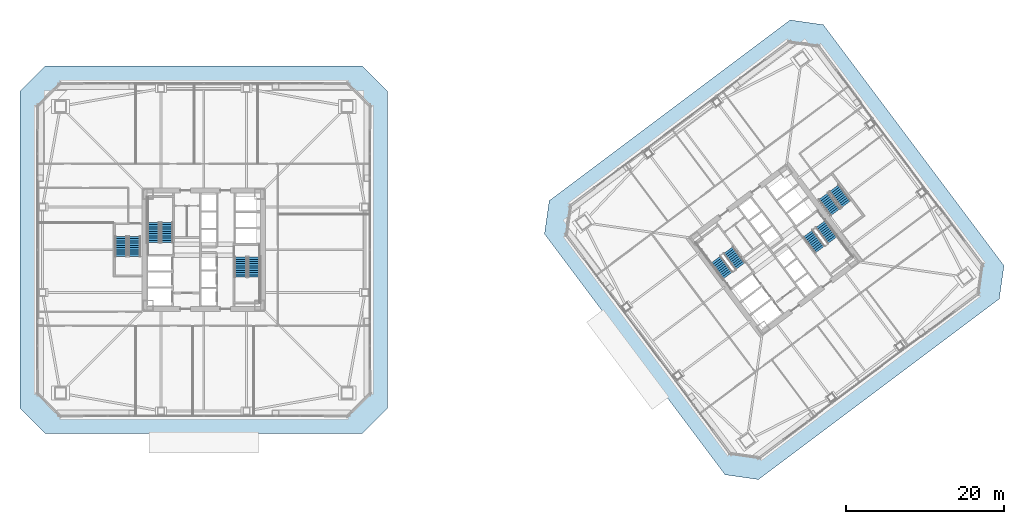
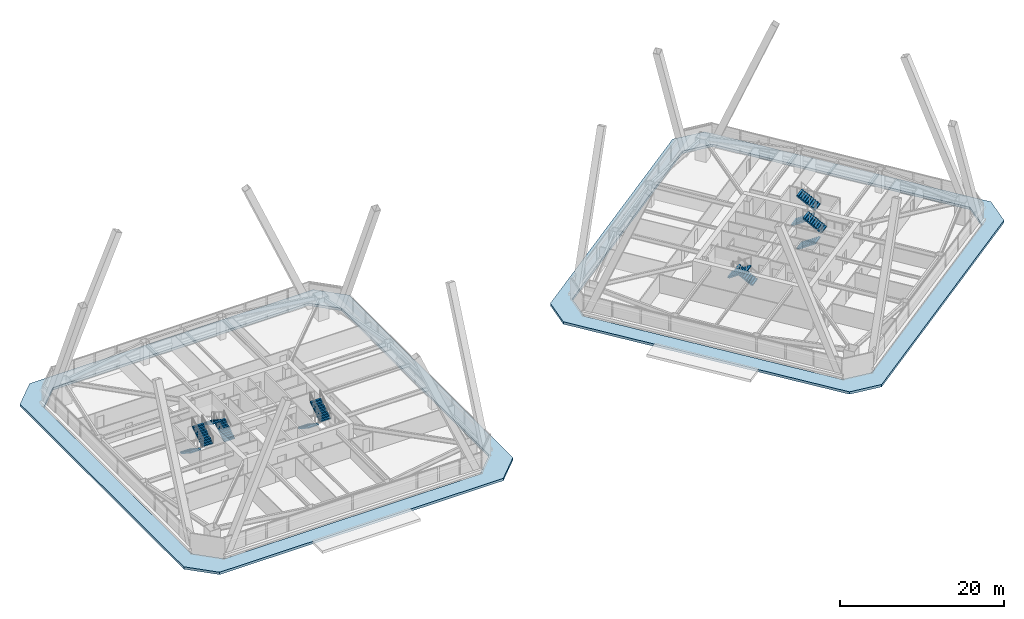
# One storey, part 60 of 67: 12 stair flights, 2 roofs, 6 elements without a shape of their own.
"""IFC4 building model written with IfcOpenShell, lengths in metres."""

from ifc_helpers import new_model, si_unit, direction, frame, origin, place, context, subcontext, project, spatial, polyline, outline, extrude, material, layer, layer_set, type_object, element, aggregate, save


model = new_model("IFC4")

# Units and contexts
model_context = context("Model", 3, precision=1e-05, world=origin(), true_north=direction((0.0, 1.0)))
body_context = subcontext(model_context, "Body", "Model", "MODEL_VIEW")
ifc_project = project(units=[si_unit("LENGTHUNIT", "METRE"), si_unit("AREAUNIT", "SQUARE_METRE"), si_unit("VOLUMEUNIT", "CUBIC_METRE"), si_unit("PLANEANGLEUNIT", "RADIAN"), si_unit("MASSUNIT", "GRAM", prefix="KILO")], contexts=[model_context])

# Site, building, storey
site_placement = place(None, origin())
site = spatial("IfcSite", under=ifc_project, at=site_placement, CompositionType="ELEMENT")
building_placement = place(site_placement, origin())
building = spatial("IfcBuilding", under=site, at=building_placement, Name="Tashvorn Skyway Center", CompositionType="ELEMENT")
storey_placement = place(building_placement, frame((0.0, 0.0, 67.199951171875)))
storey = spatial("IfcBuildingStorey", under=building, at=storey_placement, Name="L17", CompositionType="ELEMENT", Elevation=67.199951171875)

# Stair, stair flights
ifc_material_1 = material(Name="Concrete C40/50", Category="concrete")
stair_type = type_object("IfcStairType", Name="STAIR-CORE-1500", PredefinedType="HALF_TURN_STAIR", material=ifc_material_1)
stair_1_placement = place(storey_placement, origin())
stair_1 = element("IfcStair", 1, at=stair_1_placement, inside=storey, type_object=stair_type, Name="L17 Tower 1 Exit Stair 1", PredefinedType="HALF_TURN_STAIR")
stair_flight_type = type_object("IfcStairFlightType", Name="SFLIGHT-1500", PredefinedType="STRAIGHT", material=ifc_material_1)
stair_flight_1_placement = place(storey_placement, frame((37.35009765625, 32.919921875, 0.0), z_axis=(0.0, 0.0, 1.0), x_axis=(0.0, 1.0, 0.0)))
stair_flight_1 = element("IfcStairFlight", 2, at=stair_flight_1_placement, type_object=stair_flight_type, Name="ST-T1-1 flight 1", NumberOfRisers=10, NumberOfTreads=9, PredefinedType="STRAIGHT", RiserHeight=0.1775, TreadLength=0.28, context=body_context, shape_type="SweptSolid", body=[
    extrude(outline(polyline([(0.0, 0.0), (0.0, 0.177490234375), (0.280029296875, 0.177490234375), (0.280029296875, 0.35498046875), (0.56005859375, 0.35498046875), (0.56005859375, 0.532470703125), (0.840087890625, 0.532470703125), (0.840087890625, 0.7099609375), (1.1201171875, 0.7099609375), (1.1201171875, 0.887451171875), (1.39990234375, 0.887451171875), (1.39990234375, 1.06494140625), (1.679931640625, 1.06494140625), (1.679931640625, 1.242431640625), (1.9599609375, 1.242431640625), (1.9599609375, 1.419921875), (2.239990234375, 1.419921875), (2.239990234375, 1.597412109375), (2.52001953125, 1.597412109375), (2.52001953125, 1.77490234375), (2.52001953125, 1.419921875), (0.280029296875, 0.0), (0.0, 0.0)])), frame((0.0, 0.75, 0.0), z_axis=(0.0, -1.0, 0.0), x_axis=(1.0, 0.0, 0.0)), (0.0, 0.0, 1.0), 1.5),
])
stair_flight_2_placement = place(storey_placement, frame((35.64990234375, 35.43994140625, 1.775146484375), z_axis=(0.0, 0.0, 1.0), x_axis=(0.0, -1.0, 0.0)))
stair_flight_2 = element("IfcStairFlight", 3, at=stair_flight_2_placement, type_object=stair_flight_type, Name="ST-T1-1 flight 2", NumberOfRisers=10, NumberOfTreads=9, PredefinedType="STRAIGHT", RiserHeight=0.1775, TreadLength=0.28, context=body_context, shape_type="SweptSolid", body=[
    extrude(outline(polyline([(0.0, 0.0), (0.0, 0.177490234375), (0.280029296875, 0.177490234375), (0.280029296875, 0.35498046875), (0.56005859375, 0.35498046875), (0.56005859375, 0.532470703125), (0.840087890625, 0.532470703125), (0.840087890625, 0.7099609375), (1.1201171875, 0.7099609375), (1.1201171875, 0.887451171875), (1.39990234375, 0.887451171875), (1.39990234375, 1.06494140625), (1.679931640625, 1.06494140625), (1.679931640625, 1.242431640625), (1.9599609375, 1.242431640625), (1.9599609375, 1.419921875), (2.239990234375, 1.419921875), (2.239990234375, 1.597412109375), (2.52001953125, 1.597412109375), (2.52001953125, 1.77490234375), (2.52001953125, 1.419921875), (0.280029296875, 0.0), (0.0, 0.0)])), frame((0.0, 0.75, 0.0), z_axis=(0.0, -1.0, 0.0), x_axis=(1.0, 0.0, 0.0)), (0.0, 0.0, 1.0), 1.5),
])
aggregate(stair_1, [stair_flight_1, stair_flight_2])

stair_2_placement = place(storey_placement, origin())
stair_2 = element("IfcStair", 4, at=stair_2_placement, inside=storey, type_object=stair_type, Name="L17 Tower 1 Exit Stair 2", PredefinedType="HALF_TURN_STAIR")
stair_flight_3_placement = place(storey_placement, frame((46.64990234375, 31.080078125, 0.0), z_axis=(0.0, 0.0, 1.0), x_axis=(0.0, -1.0, 0.0)))
stair_flight_3 = element("IfcStairFlight", 5, at=stair_flight_3_placement, type_object=stair_flight_type, Name="ST-T1-2 flight 1", NumberOfRisers=10, NumberOfTreads=9, PredefinedType="STRAIGHT", RiserHeight=0.1775, TreadLength=0.28, context=body_context, shape_type="SweptSolid", body=[
    extrude(outline(polyline([(0.0, 0.0), (0.0, 0.177490234375), (0.280029296875, 0.177490234375), (0.280029296875, 0.35498046875), (0.56005859375, 0.35498046875), (0.56005859375, 0.532470703125), (0.840087890625, 0.532470703125), (0.840087890625, 0.7099609375), (1.1201171875, 0.7099609375), (1.1201171875, 0.887451171875), (1.39990234375, 0.887451171875), (1.39990234375, 1.06494140625), (1.679931640625, 1.06494140625), (1.679931640625, 1.242431640625), (1.9599609375, 1.242431640625), (1.9599609375, 1.419921875), (2.239990234375, 1.419921875), (2.239990234375, 1.597412109375), (2.52001953125, 1.597412109375), (2.52001953125, 1.77490234375), (2.52001953125, 1.419921875), (0.280029296875, 0.0), (0.0, 0.0)])), frame((0.0, 0.75, 0.0), z_axis=(0.0, -1.0, 0.0), x_axis=(1.0, 0.0, 0.0)), (0.0, 0.0, 1.0), 1.5),
])
stair_flight_4_placement = place(storey_placement, frame((48.35009765625, 28.56005859375, 1.775146484375), z_axis=(0.0, 0.0, 1.0), x_axis=(0.0, 1.0, 0.0)))
stair_flight_4 = element("IfcStairFlight", 6, at=stair_flight_4_placement, type_object=stair_flight_type, Name="ST-T1-2 flight 2", NumberOfRisers=10, NumberOfTreads=9, PredefinedType="STRAIGHT", RiserHeight=0.1775, TreadLength=0.28, context=body_context, shape_type="SweptSolid", body=[
    extrude(outline(polyline([(0.0, 0.0), (0.0, 0.177490234375), (0.280029296875, 0.177490234375), (0.280029296875, 0.35498046875), (0.56005859375, 0.35498046875), (0.56005859375, 0.532470703125), (0.840087890625, 0.532470703125), (0.840087890625, 0.7099609375), (1.1201171875, 0.7099609375), (1.1201171875, 0.887451171875), (1.39990234375, 0.887451171875), (1.39990234375, 1.06494140625), (1.679931640625, 1.06494140625), (1.679931640625, 1.242431640625), (1.9599609375, 1.242431640625), (1.9599609375, 1.419921875), (2.239990234375, 1.419921875), (2.239990234375, 1.597412109375), (2.52001953125, 1.597412109375), (2.52001953125, 1.77490234375), (2.52001953125, 1.419921875), (0.280029296875, 0.0), (0.0, 0.0)])), frame((0.0, 0.75, 0.0), z_axis=(0.0, -1.0, 0.0), x_axis=(1.0, 0.0, 0.0)), (0.0, 0.0, 1.0), 1.5),
])
aggregate(stair_2, [stair_flight_3, stair_flight_4])

stair_3_placement = place(storey_placement, origin())
stair_3 = element("IfcStair", 7, at=stair_3_placement, inside=storey, type_object=stair_type, Name="L17 Tower 2 Exit Stair 1", PredefinedType="HALF_TURN_STAIR")
stair_flight_5_placement = place(storey_placement, frame((109.72802734375, 29.946044921875, 0.0), z_axis=(0.0, 0.0, 1.0), x_axis=(-0.600000004945, 0.799999996291, 0.0)))
stair_flight_5 = element("IfcStairFlight", 8, at=stair_flight_5_placement, type_object=stair_flight_type, Name="ST-T2-1 flight 1", NumberOfRisers=10, NumberOfTreads=9, PredefinedType="STRAIGHT", RiserHeight=0.1775, TreadLength=0.28, context=body_context, shape_type="SweptSolid", body=[
    extrude(outline(polyline([(0.0, 0.0), (0.0, 0.177490234375), (0.280029296875, 0.177490234375), (0.280029296875, 0.35498046875), (0.56005859375, 0.35498046875), (0.56005859375, 0.532470703125), (0.840087890625, 0.532470703125), (0.840087890625, 0.7099609375), (1.1201171875, 0.7099609375), (1.1201171875, 0.887451171875), (1.39990234375, 0.887451171875), (1.39990234375, 1.06494140625), (1.679931640625, 1.06494140625), (1.679931640625, 1.242431640625), (1.9599609375, 1.242431640625), (1.9599609375, 1.419921875), (2.239990234375, 1.419921875), (2.239990234375, 1.597412109375), (2.52001953125, 1.597412109375), (2.52001953125, 1.77490234375), (2.52001953125, 1.419921875), (0.280029296875, 0.0), (0.0, 0.0)])), frame((0.0, 0.75, 0.0), z_axis=(0.0, -1.0, 0.0), x_axis=(1.0, 0.0, 0.0)), (0.0, 0.0, 1.0), 1.5),
])
stair_flight_6_placement = place(storey_placement, frame((106.632080078125, 30.77392578125, 1.775146484375), z_axis=(0.0, 0.0, 1.0), x_axis=(0.600000004945, -0.799999996291, 0.0)))
stair_flight_6 = element("IfcStairFlight", 9, at=stair_flight_6_placement, type_object=stair_flight_type, Name="ST-T2-1 flight 2", NumberOfRisers=10, NumberOfTreads=9, PredefinedType="STRAIGHT", RiserHeight=0.1775, TreadLength=0.28, context=body_context, shape_type="SweptSolid", body=[
    extrude(outline(polyline([(0.0, 0.0), (0.0, 0.177490234375), (0.280029296875, 0.177490234375), (0.280029296875, 0.35498046875), (0.56005859375, 0.35498046875), (0.56005859375, 0.532470703125), (0.840087890625, 0.532470703125), (0.840087890625, 0.7099609375), (1.1201171875, 0.7099609375), (1.1201171875, 0.887451171875), (1.39990234375, 0.887451171875), (1.39990234375, 1.06494140625), (1.679931640625, 1.06494140625), (1.679931640625, 1.242431640625), (1.9599609375, 1.242431640625), (1.9599609375, 1.419921875), (2.239990234375, 1.419921875), (2.239990234375, 1.597412109375), (2.52001953125, 1.597412109375), (2.52001953125, 1.77490234375), (2.52001953125, 1.419921875), (0.280029296875, 0.0), (0.0, 0.0)])), frame((0.0, 0.75, 0.0), z_axis=(0.0, -1.0, 0.0), x_axis=(1.0, 0.0, 0.0)), (0.0, 0.0, 1.0), 1.5),
])
aggregate(stair_3, [stair_flight_5, stair_flight_6])

stair_4_placement = place(storey_placement, origin())
stair_4 = element("IfcStair", 10, at=stair_4_placement, inside=storey, type_object=stair_type, Name="L17 Tower 2 Exit Stair 2", PredefinedType="HALF_TURN_STAIR")
stair_flight_7_placement = place(storey_placement, frame((118.27197265625, 34.053955078125, 0.0), z_axis=(0.0, 0.0, 1.0), x_axis=(0.600000004945, -0.799999996291, 0.0)))
stair_flight_7 = element("IfcStairFlight", 11, at=stair_flight_7_placement, type_object=stair_flight_type, Name="ST-T2-2 flight 1", NumberOfRisers=10, NumberOfTreads=9, PredefinedType="STRAIGHT", RiserHeight=0.1775, TreadLength=0.28, context=body_context, shape_type="SweptSolid", body=[
    extrude(outline(polyline([(0.0, 0.0), (0.0, 0.177490234375), (0.280029296875, 0.177490234375), (0.280029296875, 0.35498046875), (0.56005859375, 0.35498046875), (0.56005859375, 0.532470703125), (0.840087890625, 0.532470703125), (0.840087890625, 0.7099609375), (1.1201171875, 0.7099609375), (1.1201171875, 0.887451171875), (1.39990234375, 0.887451171875), (1.39990234375, 1.06494140625), (1.679931640625, 1.06494140625), (1.679931640625, 1.242431640625), (1.9599609375, 1.242431640625), (1.9599609375, 1.419921875), (2.239990234375, 1.419921875), (2.239990234375, 1.597412109375), (2.52001953125, 1.597412109375), (2.52001953125, 1.77490234375), (2.52001953125, 1.419921875), (0.280029296875, 0.0), (0.0, 0.0)])), frame((0.0, 0.75, 0.0), z_axis=(0.0, -1.0, 0.0), x_axis=(1.0, 0.0, 0.0)), (0.0, 0.0, 1.0), 1.5),
])
stair_flight_8_placement = place(storey_placement, frame((121.367919921875, 33.22607421875, 1.775146484375), z_axis=(0.0, 0.0, 1.0), x_axis=(-0.600000004945, 0.799999996291, 0.0)))
stair_flight_8 = element("IfcStairFlight", 12, at=stair_flight_8_placement, type_object=stair_flight_type, Name="ST-T2-2 flight 2", NumberOfRisers=10, NumberOfTreads=9, PredefinedType="STRAIGHT", RiserHeight=0.1775, TreadLength=0.28, context=body_context, shape_type="SweptSolid", body=[
    extrude(outline(polyline([(0.0, 0.0), (0.0, 0.177490234375), (0.280029296875, 0.177490234375), (0.280029296875, 0.35498046875), (0.56005859375, 0.35498046875), (0.56005859375, 0.532470703125), (0.840087890625, 0.532470703125), (0.840087890625, 0.7099609375), (1.1201171875, 0.7099609375), (1.1201171875, 0.887451171875), (1.39990234375, 0.887451171875), (1.39990234375, 1.06494140625), (1.679931640625, 1.06494140625), (1.679931640625, 1.242431640625), (1.9599609375, 1.242431640625), (1.9599609375, 1.419921875), (2.239990234375, 1.419921875), (2.239990234375, 1.597412109375), (2.52001953125, 1.597412109375), (2.52001953125, 1.77490234375), (2.52001953125, 1.419921875), (0.280029296875, 0.0), (0.0, 0.0)])), frame((0.0, 0.75, 0.0), z_axis=(0.0, -1.0, 0.0), x_axis=(1.0, 0.0, 0.0)), (0.0, 0.0, 1.0), 1.5),
])
aggregate(stair_4, [stair_flight_7, stair_flight_8])

stair_5_placement = place(storey_placement, origin())
stair_5 = element("IfcStair", 13, at=stair_5_placement, inside=storey, type_object=stair_type, Name="L17 Tower 1 Exit Stair 3", PredefinedType="HALF_TURN_STAIR")
stair_flight_9_placement = place(storey_placement, frame((31.550048828125, 33.679931640625, 0.0), z_axis=(0.0, 0.0, 1.0), x_axis=(0.0, -1.0, 0.0)))
stair_flight_9 = element("IfcStairFlight", 14, at=stair_flight_9_placement, type_object=stair_flight_type, Name="ST-T1-3 flight 1", NumberOfRisers=10, NumberOfTreads=9, PredefinedType="STRAIGHT", RiserHeight=0.1775, TreadLength=0.28, context=body_context, shape_type="SweptSolid", body=[
    extrude(outline(polyline([(0.0, 0.0), (0.0, 0.177490234375), (0.280029296875, 0.177490234375), (0.280029296875, 0.35498046875), (0.56005859375, 0.35498046875), (0.56005859375, 0.532470703125), (0.840087890625, 0.532470703125), (0.840087890625, 0.7099609375), (1.1201171875, 0.7099609375), (1.1201171875, 0.887451171875), (1.39990234375, 0.887451171875), (1.39990234375, 1.06494140625), (1.679931640625, 1.06494140625), (1.679931640625, 1.242431640625), (1.9599609375, 1.242431640625), (1.9599609375, 1.419921875), (2.239990234375, 1.419921875), (2.239990234375, 1.597412109375), (2.52001953125, 1.597412109375), (2.52001953125, 1.77490234375), (2.52001953125, 1.419921875), (0.280029296875, 0.0), (0.0, 0.0)])), frame((0.0, 0.75, 0.0), z_axis=(0.0, -1.0, 0.0), x_axis=(1.0, 0.0, 0.0)), (0.0, 0.0, 1.0), 1.5),
])
stair_flight_10_placement = place(storey_placement, frame((33.25, 31.159912109375, 1.775146484375), z_axis=(0.0, 0.0, 1.0), x_axis=(0.0, 1.0, 0.0)))
stair_flight_10 = element("IfcStairFlight", 15, at=stair_flight_10_placement, type_object=stair_flight_type, Name="ST-T1-3 flight 2", NumberOfRisers=10, NumberOfTreads=9, PredefinedType="STRAIGHT", RiserHeight=0.1775, TreadLength=0.28, context=body_context, shape_type="SweptSolid", body=[
    extrude(outline(polyline([(0.0, 0.0), (0.0, 0.177490234375), (0.280029296875, 0.177490234375), (0.280029296875, 0.35498046875), (0.56005859375, 0.35498046875), (0.56005859375, 0.532470703125), (0.840087890625, 0.532470703125), (0.840087890625, 0.7099609375), (1.1201171875, 0.7099609375), (1.1201171875, 0.887451171875), (1.39990234375, 0.887451171875), (1.39990234375, 1.06494140625), (1.679931640625, 1.06494140625), (1.679931640625, 1.242431640625), (1.9599609375, 1.242431640625), (1.9599609375, 1.419921875), (2.239990234375, 1.419921875), (2.239990234375, 1.597412109375), (2.52001953125, 1.597412109375), (2.52001953125, 1.77490234375), (2.52001953125, 1.419921875), (0.280029296875, 0.0), (0.0, 0.0)])), frame((0.0, 0.75, 0.0), z_axis=(0.0, -1.0, 0.0), x_axis=(1.0, 0.0, 0.0)), (0.0, 0.0, 1.0), 1.5),
])
aggregate(stair_5, [stair_flight_9, stair_flight_10])

stair_6_placement = place(storey_placement, origin())
stair_6 = element("IfcStair", 16, at=stair_6_placement, inside=storey, type_object=stair_type, Name="L17 Tower 2 Exit Stair 3", PredefinedType="HALF_TURN_STAIR")
stair_flight_11_placement = place(storey_placement, frame((120.216064453125, 38.761962890625, 0.0), z_axis=(0.0, 0.0, 1.0), x_axis=(0.600000004945, -0.799999996291, 0.0)))
stair_flight_11 = element("IfcStairFlight", 17, at=stair_flight_11_placement, type_object=stair_flight_type, Name="ST-T2-3 flight 1", NumberOfRisers=10, NumberOfTreads=9, PredefinedType="STRAIGHT", RiserHeight=0.1775, TreadLength=0.28, context=body_context, shape_type="SweptSolid", body=[
    extrude(outline(polyline([(0.0, 0.0), (0.0, 0.177490234375), (0.280029296875, 0.177490234375), (0.280029296875, 0.35498046875), (0.56005859375, 0.35498046875), (0.56005859375, 0.532470703125), (0.840087890625, 0.532470703125), (0.840087890625, 0.7099609375), (1.1201171875, 0.7099609375), (1.1201171875, 0.887451171875), (1.39990234375, 0.887451171875), (1.39990234375, 1.06494140625), (1.679931640625, 1.06494140625), (1.679931640625, 1.242431640625), (1.9599609375, 1.242431640625), (1.9599609375, 1.419921875), (2.239990234375, 1.419921875), (2.239990234375, 1.597412109375), (2.52001953125, 1.597412109375), (2.52001953125, 1.77490234375), (2.52001953125, 1.419921875), (0.280029296875, 0.0), (0.0, 0.0)])), frame((0.0, 0.75, 0.0), z_axis=(0.0, -1.0, 0.0), x_axis=(1.0, 0.0, 0.0)), (0.0, 0.0, 1.0), 1.5),
])
stair_flight_12_placement = place(storey_placement, frame((123.087890625, 37.76611328125, 1.775146484375), z_axis=(0.0, 0.0, 1.0), x_axis=(-0.600000004945, 0.799999996291, 0.0)))
stair_flight_12 = element("IfcStairFlight", 18, at=stair_flight_12_placement, type_object=stair_flight_type, Name="ST-T2-3 flight 2", NumberOfRisers=10, NumberOfTreads=9, PredefinedType="STRAIGHT", RiserHeight=0.1775, TreadLength=0.28, context=body_context, shape_type="SweptSolid", body=[
    extrude(outline(polyline([(0.0, 0.0), (0.0, 0.177490234375), (0.280029296875, 0.177490234375), (0.280029296875, 0.35498046875), (0.56005859375, 0.35498046875), (0.56005859375, 0.532470703125), (0.840087890625, 0.532470703125), (0.840087890625, 0.7099609375), (1.1201171875, 0.7099609375), (1.1201171875, 0.887451171875), (1.39990234375, 0.887451171875), (1.39990234375, 1.06494140625), (1.679931640625, 1.06494140625), (1.679931640625, 1.242431640625), (1.9599609375, 1.242431640625), (1.9599609375, 1.419921875), (2.239990234375, 1.419921875), (2.239990234375, 1.597412109375), (2.52001953125, 1.597412109375), (2.52001953125, 1.77490234375), (2.52001953125, 1.419921875), (0.280029296875, 0.0), (0.0, 0.0)])), frame((0.0, 0.75, 0.0), z_axis=(0.0, -1.0, 0.0), x_axis=(1.0, 0.0, 0.0)), (0.0, 0.0, 1.0), 1.5),
])
aggregate(stair_6, [stair_flight_11, stair_flight_12])

# Roofs
ifc_material_2 = material(Name="Architectural glazed Mojave terracotta roof and cornice system", Category="masonry")
ifc_layer = layer(ifc_material_2, 0.360107421875)
ifc_layer_set = layer_set([ifc_layer], Name="Architectural glazed Mojave terracotta roof and cornice system")
roof_type = type_object("IfcRoofType", Name="ROOF-PM-CORNICE", PredefinedType="GABLE_ROOF", material=ifc_layer_set)
roof_1_placement = place(storey_placement, origin())
element("IfcRoof", 19, at=roof_1_placement, inside=storey, type_object=roof_type, Name="Tower 1 L17 Postmodern Setback Terracotta Cornice", PredefinedType="GABLE_ROOF", context=body_context, shape_type="SweptSolid", body=[
    extrude(outline(polyline([(22.0, 8.800048828125), (62.0, 8.800048828125), (65.199951171875, 12.0), (65.199951171875, 52.0), (62.0, 55.199951171875), (22.0, 55.199951171875), (18.800048828125, 52.0), (18.800048828125, 12.0), (22.0, 8.800048828125)]), holes=[polyline([(24.0, 11.0), (60.0, 11.0), (63.0, 14.0), (63.0, 50.0), (60.0, 53.0), (24.0, 53.0), (21.0, 50.0), (21.0, 14.0), (24.0, 11.0)])]), origin(), (0.0, 0.0, 1.0), 0.360107421875),
])
roof_2_placement = place(storey_placement, origin())
element("IfcRoof", 20, at=roof_2_placement, inside=storey, type_object=roof_type, Name="Tower 2 L17 Postmodern Setback Terracotta Cornice", PredefinedType="GABLE_ROOF", context=body_context, shape_type="SweptSolid", body=[
    extrude(outline(polyline([(112.0, 3.0), (142.39990234375, 25.800048828125), (143.0, 30.0), (120.199951171875, 60.39990234375), (116.0, 61.0), (85.60009765625, 38.199951171875), (85.0, 34.0), (107.800048828125, 3.60009765625), (112.0, 3.0)]), holes=[polyline([(112.260009765625, 5.820068359375), (139.6201171875, 26.340087890625), (140.179931640625, 30.260009765625), (119.659912109375, 57.6201171875), (115.739990234375, 58.179931640625), (88.3798828125, 37.659912109375), (87.820068359375, 33.739990234375), (108.340087890625, 6.3798828125), (112.260009765625, 5.820068359375)])]), origin(), (0.0, 0.0, 1.0), 0.360107421875),
])

save(model, "model.ifc")
